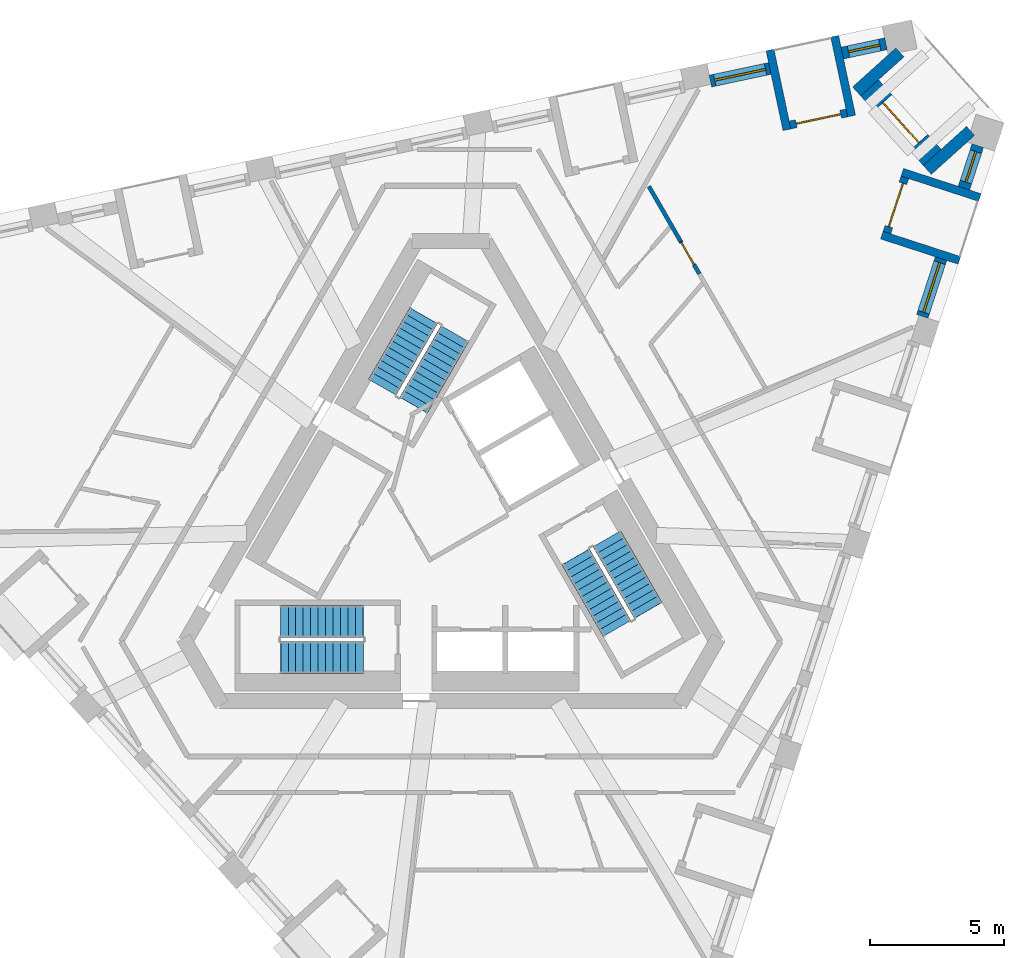
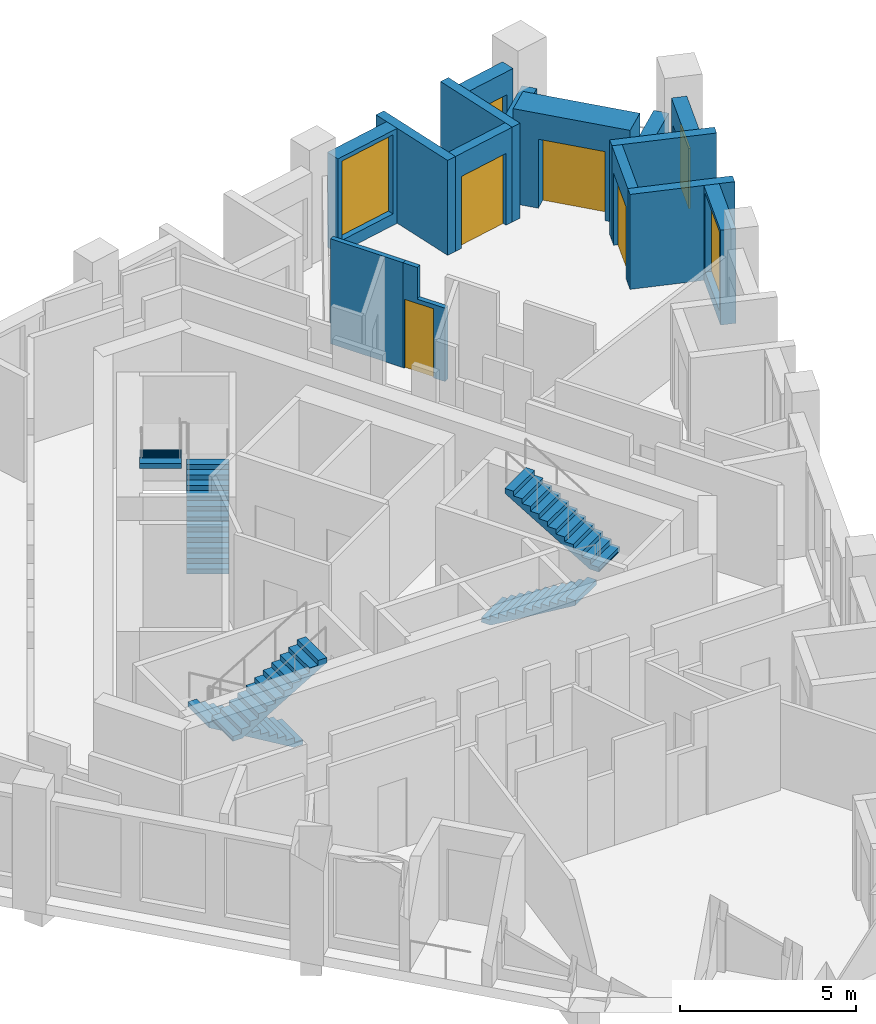
# One storey, part 8 of 12: 15 walls, 6 stair flights, 4 doors, 4 windows, 8 openings, 3 elements without a shape of their own.
"""IFC4 building model written with IfcOpenShell, lengths in metres."""

from ifc_helpers import new_model, si_unit, direction, frame, frame_2d, origin, place, context, subcontext, project, spatial, polyline, rectangle, outline, extrude, material, layer, layer_set, type_object, element, fill, aggregate, save


model = new_model("IFC4")

# Units and contexts
model_context = context("Model", 3, precision=1e-05, world=origin(), true_north=direction((0.0, 1.0)))
body_context = subcontext(model_context, "Body", "Model", "MODEL_VIEW")
ifc_project = project(units=[si_unit("LENGTHUNIT", "METRE"), si_unit("AREAUNIT", "SQUARE_METRE"), si_unit("VOLUMEUNIT", "CUBIC_METRE"), si_unit("PLANEANGLEUNIT", "RADIAN"), si_unit("MASSUNIT", "GRAM", prefix="KILO")], contexts=[model_context])

# Site, building, storey
site_placement = place(None, origin())
site = spatial("IfcSite", under=ifc_project, at=site_placement, CompositionType="ELEMENT")
building_placement = place(site_placement, origin())
building = spatial("IfcBuilding", under=site, at=building_placement, Name="Tramontana Tower", CompositionType="ELEMENT")
storey_placement = place(building_placement, frame((0.0, 0.0, 320.39990234375)))
storey = spatial("IfcBuildingStorey", under=building, at=storey_placement, Name="L73", CompositionType="ELEMENT", Elevation=320.39990234375)

# Wall, opening, window
ifc_material_1 = material(Name="Precast concrete 60 MPa", Category="concrete")
ifc_layer_1 = layer(ifc_material_1, 0.449951171875)
ifc_layer_set_1 = layer_set([ifc_layer_1], Name="Precast concrete 60 MPa, 450 mm")
wall_type_1 = type_object("IfcWallType", Name="EW1 Stone-faced precast wall 450", PredefinedType="SOLIDWALL", material=ifc_layer_set_1)
wall_1_placement = place(storey_placement, frame((17.632080078125, 7.9091796875, 0.0), z_axis=(0.0, 0.0, 1.0), x_axis=(0.309027740273, 0.951053024674, 0.0)))
wall_1 = element("IfcWall", 1, at=wall_1_placement, inside=storey, type_object=wall_type_1, Name="External wall L73 face 1 bay 5", PredefinedType="SOLIDWALL", context=body_context, shape_type="SweptSolid", body=[
    extrude(rectangle(XDim=2.271240234375, YDim=0.449951171875, at=frame_2d((1.1357421875, 0.0))), origin(), (0.0, 0.0, 1.0), 3.300048828125),
])
opening_1_placement = place(wall_1_placement, frame((0.16064453125, 0.0, 0.39990234375)))
opening_1 = element("IfcOpeningElement", 2, at=opening_1_placement, cuts=wall_1, Name="Opening M3", PredefinedType="OPENING", context=body_context, shape_type="SweptSolid", body=[
    extrude(rectangle(XDim=1.949951171875, YDim=2.75, at=frame_2d((0.97509765625, 1.375))), frame((0.0, 0.23486328125, 0.0), z_axis=(0.0, -1.0, 0.0), x_axis=(1.0, 0.0, 0.0)), (0.0, 0.0, 1.0), 0.469970703125),
])
ifc_material_2 = material(Name="Aluminum frame, double glazing unit", Category="aluminium")
window_type_1 = type_object("IfcWindowType", Name="M3 Window 1.95 x 2.75", PartitioningType="SINGLE_PANEL", PredefinedType="WINDOW", material=ifc_material_2)
window_1_placement = place(opening_1_placement, origin())
window_1 = element("IfcWindow", 3, at=window_1_placement, inside=storey, type_object=window_type_1, Name="Window M3 L73 face 1 module 13", OverallHeight=2.75, OverallWidth=1.949951171875, PartitioningType="SINGLE_PANEL", PredefinedType="WINDOW", context=body_context, shape_type="SweptSolid", body=[
    extrude(rectangle(XDim=1.949951171875, YDim=2.75, at=frame_2d((0.97509765625, 1.375))), frame((0.0, 0.030029296875, 0.0), z_axis=(0.0, -1.0, 0.0), x_axis=(1.0, 0.0, 0.0)), (0.0, 0.0, 1.0), 0.06005859375),
])
fill(opening_1, window_1)

wall_2_placement = place(storey_placement, frame((19.1904296875, 12.705078125, 0.0), z_axis=(0.0, 0.0, 1.0), x_axis=(0.30898696848, 0.951066271776, 0.0)))
wall_2 = element("IfcWall", 4, at=wall_2_placement, inside=storey, type_object=wall_type_1, Name="External wall L73 face 1 bay 5", PredefinedType="SOLIDWALL", context=body_context, shape_type="SweptSolid", body=[
    extrude(rectangle(XDim=1.671142578125, YDim=0.449951171875, at=frame_2d((0.83544921875, 0.0))), origin(), (0.0, 0.0, 1.0), 3.300048828125),
])
opening_2_placement = place(wall_2_placement, frame((0.235595703125, 0.0, 0.39990234375)))
opening_2 = element("IfcOpeningElement", 5, at=opening_2_placement, cuts=wall_2, Name="Opening N3L", PredefinedType="OPENING", context=body_context, shape_type="SweptSolid", body=[
    extrude(rectangle(XDim=1.199951171875, YDim=2.10009765625, at=frame_2d((0.60009765625, 1.050048828125))), frame((0.0, 0.23486328125, 0.0), z_axis=(0.0, -1.0, 0.0), x_axis=(1.0, 0.0, 0.0)), (0.0, 0.0, 1.0), 0.469970703125),
])
ifc_material_3 = material(Name="Aluminum frame, double glazing unit", Category="aluminium")
window_type_2 = type_object("IfcWindowType", Name="N3L Window 1.2 x 2.1", PartitioningType="SINGLE_PANEL", PredefinedType="WINDOW", material=ifc_material_3)
window_2_placement = place(opening_2_placement, origin())
window_2 = element("IfcWindow", 6, at=window_2_placement, inside=storey, type_object=window_type_2, Name="Window N3L L73 face 1 module 15", OverallHeight=2.10009765625, OverallWidth=1.199951171875, PartitioningType="SINGLE_PANEL", PredefinedType="WINDOW", context=body_context, shape_type="SweptSolid", body=[
    extrude(rectangle(XDim=1.199951171875, YDim=2.10009765625, at=frame_2d((0.60009765625, 1.050048828125))), frame((0.0, 0.030029296875, 0.0), z_axis=(0.0, -1.0, 0.0), x_axis=(1.0, 0.0, 0.0)), (0.0, 0.0, 1.0), 0.06005859375),
])
fill(opening_2, window_2)

wall_3_placement = place(storey_placement, frame((16.276123046875, 18.104736328125, 0.0), z_axis=(0.0, 0.0, 1.0), x_axis=(-0.978126168783, -0.208012494676, 0.0)))
wall_3 = element("IfcWall", 7, at=wall_3_placement, inside=storey, type_object=wall_type_1, Name="External wall L73 face 2 bay 1", PredefinedType="SOLIDWALL", context=body_context, shape_type="SweptSolid", body=[
    extrude(rectangle(XDim=1.67138671875, YDim=0.449951171875, at=frame_2d((0.835693359375, 0.0))), origin(), (0.0, 0.0, 1.0), 3.300048828125),
])
opening_3_placement = place(wall_3_placement, frame((0.235595703125, 0.0, 0.39990234375)))
opening_3 = element("IfcOpeningElement", 8, at=opening_3_placement, cuts=wall_3, Name="Opening N3L", PredefinedType="OPENING", context=body_context, shape_type="SweptSolid", body=[
    extrude(rectangle(XDim=1.199951171875, YDim=2.10009765625, at=frame_2d((0.60009765625, 1.050048828125))), frame((0.0, 0.23486328125, 0.0), z_axis=(0.0, -1.0, 0.0), x_axis=(1.0, 0.0, 0.0)), (0.0, 0.0, 1.0), 0.469970703125),
])
window_3_placement = place(opening_3_placement, origin())
window_3 = element("IfcWindow", 9, at=window_3_placement, inside=storey, type_object=window_type_2, Name="Window N3L L73 face 2 module 1", OverallHeight=2.10009765625, OverallWidth=1.199951171875, PartitioningType="SINGLE_PANEL", PredefinedType="WINDOW", context=body_context, shape_type="SweptSolid", body=[
    extrude(rectangle(XDim=1.199951171875, YDim=2.10009765625, at=frame_2d((0.60009765625, 1.050048828125))), frame((0.0, 0.030029296875, 0.0), z_axis=(0.0, -1.0, 0.0), x_axis=(1.0, 0.0, 0.0)), (0.0, 0.0, 1.0), 0.06005859375),
])
fill(opening_3, window_3)

wall_4_placement = place(storey_placement, frame((11.9306640625, 17.180908203125, 0.0), z_axis=(0.0, 0.0, 1.0), x_axis=(-0.978153386925, -0.207884467067, 0.0)))
wall_4 = element("IfcWall", 10, at=wall_4_placement, inside=storey, type_object=wall_type_1, Name="External wall L73 face 2 bay 1", PredefinedType="SOLIDWALL", context=body_context, shape_type="SweptSolid", body=[
    extrude(rectangle(XDim=2.271240234375, YDim=0.449951171875, at=frame_2d((1.1357421875, 0.0))), origin(), (0.0, 0.0, 1.0), 3.300048828125),
])
opening_4_placement = place(wall_4_placement, frame((0.16064453125, 0.0, 0.39990234375)))
opening_4 = element("IfcOpeningElement", 11, at=opening_4_placement, cuts=wall_4, Name="Opening M3", PredefinedType="OPENING", context=body_context, shape_type="SweptSolid", body=[
    extrude(rectangle(XDim=1.949951171875, YDim=2.75, at=frame_2d((0.97509765625, 1.375))), frame((0.0, 0.23486328125, 0.0), z_axis=(0.0, -1.0, 0.0), x_axis=(1.0, 0.0, 0.0)), (0.0, 0.0, 1.0), 0.469970703125),
])
window_4_placement = place(opening_4_placement, origin())
window_4 = element("IfcWindow", 12, at=window_4_placement, inside=storey, type_object=window_type_1, Name="Window M3 L73 face 2 module 3", OverallHeight=2.75, OverallWidth=1.949951171875, PartitioningType="SINGLE_PANEL", PredefinedType="WINDOW", context=body_context, shape_type="SweptSolid", body=[
    extrude(rectangle(XDim=1.949951171875, YDim=2.75, at=frame_2d((0.97509765625, 1.375))), frame((0.0, 0.030029296875, 0.0), z_axis=(0.0, -1.0, 0.0), x_axis=(1.0, 0.0, 0.0)), (0.0, 0.0, 1.0), 0.06005859375),
])
fill(opening_4, window_4)

# Walls
wall_5_placement = place(storey_placement, frame((16.795654296875, 17.780517578125, 0.0), z_axis=(0.0, 0.0, 1.0), x_axis=(-0.743165997662, -0.669107091518, 0.0)))
element("IfcWall", 13, at=wall_5_placement, inside=storey, type_object=wall_type_1, Name="Corner loggia side wall L73 K82l", PredefinedType="SOLIDWALL", context=body_context, shape_type="SweptSolid", body=[
    extrude(rectangle(XDim=2.178955078125, YDim=0.449951171875, at=frame_2d((1.08935546875, 0.0))), origin(), (0.0, 0.0, 1.0), 2.550048828125),
])
wall_6_placement = place(storey_placement, frame((19.438720703125, 14.84521484375, 0.0), z_axis=(0.0, 0.0, 1.0), x_axis=(-0.743110286166, -0.669168964159, 0.0)))
element("IfcWall", 14, at=wall_6_placement, inside=storey, type_object=wall_type_1, Name="Corner loggia side wall L73 K82r", PredefinedType="SOLIDWALL", context=body_context, shape_type="SweptSolid", body=[
    extrude(rectangle(XDim=2.17919921875, YDim=0.449951171875, at=frame_2d((1.089599609375, 0.0))), origin(), (0.0, 0.0, 1.0), 2.550048828125),
])

# Wall, opening, door
ifc_material_4 = material(Name="Precast concrete 60 MPa", Category="concrete")
ifc_layer_2 = layer(ifc_material_4, 0.89990234375)
ifc_layer_set_2 = layer_set([ifc_layer_2], Name="EW2 Stone-faced corner loggia wall 900")
wall_type_2 = type_object("IfcWallType", Name="EW2 Stone-faced corner loggia wall 900", PredefinedType="SOLIDWALL", material=ifc_layer_set_2)
wall_7_placement = place(storey_placement, frame((15.6611328125, 16.456298828125, 0.0), z_axis=(0.0, 0.0, 1.0), x_axis=(0.669134277936, -0.743141519559, 0.0)))
wall_7 = element("IfcWall", 15, at=wall_7_placement, inside=storey, type_object=wall_type_2, Name="Corner loggia wall L73 K82", PredefinedType="SOLIDWALL", context=body_context, shape_type="SweptSolid", body=[
    extrude(rectangle(XDim=3.5, YDim=0.89990234375, at=frame_2d((1.75, 0.0))), origin(), (0.0, 0.0, 1.0), 3.300048828125),
])
opening_5_placement = place(wall_7_placement, frame((0.75, 0.0, 0.0)))
opening_5 = element("IfcOpeningElement", 16, at=opening_5_placement, cuts=wall_7, Name="Opening BD-82C", PredefinedType="OPENING", context=body_context, shape_type="SweptSolid", body=[
    extrude(rectangle(XDim=2.0, YDim=2.39990234375, at=frame_2d((1.0, 1.199951171875))), frame((0.0, 0.4599609375, 0.0), z_axis=(0.0, -1.0, 0.0), x_axis=(1.0, 0.0, 0.0)), (0.0, 0.0, 1.0), 0.919921875),
])
ifc_material_5 = material(Name="Aluminum frame, double glazing unit", Category="aluminium")
door_type_1 = type_object("IfcDoorType", Name="BC1 Sliding door 2 x 2.4", OperationType="SLIDING_TO_LEFT", PredefinedType="DOOR", material=ifc_material_5)
door_1_placement = place(opening_5_placement, origin())
door_1 = element("IfcDoor", 17, at=door_1_placement, inside=storey, type_object=door_type_1, Name="Corner loggia door L73 K82", OperationType="SLIDING_TO_LEFT", OverallHeight=2.39990234375, OverallWidth=2.0, PredefinedType="DOOR", context=body_context, shape_type="SweptSolid", body=[
    extrude(rectangle(XDim=2.0, YDim=2.39990234375, at=frame_2d((1.0, 1.199951171875))), frame((0.0, 0.02490234375, 0.0), z_axis=(0.0, -1.0, 0.0), x_axis=(1.0, 0.0, 0.0)), (0.0, 0.0, 1.0), 0.050048828125),
])
fill(opening_5, door_1)

ifc_material_6 = material(Name="Precast concrete 60 MPa", Category="concrete")
ifc_layer_3 = layer(ifc_material_6, 0.300048828125)
ifc_layer_set_3 = layer_set([ifc_layer_3], Name="LW1 Stone-faced loggia wall 300")
wall_type_3 = type_object("IfcWallType", Name="LW1 Stone-faced loggia wall 300", PredefinedType="SOLIDWALL", material=ifc_layer_set_3)
wall_8_placement = place(storey_placement, frame((16.310546875, 11.042236328125, 0.0), z_axis=(0.0, 0.0, 1.0), x_axis=(0.308999623589, 0.95106216023, 0.0)))
wall_8 = element("IfcWall", 18, at=wall_8_placement, inside=storey, type_object=wall_type_3, Name="Loggia wall L73 G8S1.13", PredefinedType="SOLIDWALL", context=body_context, shape_type="SweptSolid", body=[
    extrude(rectangle(XDim=2.171142578125, YDim=0.300048828125, at=frame_2d((1.08544921875, 0.0))), origin(), (0.0, 0.0, 1.0), 3.300048828125),
])
opening_6_placement = place(wall_8_placement, frame((0.235595703125, 0.0, 0.0)))
opening_6 = element("IfcOpeningElement", 19, at=opening_6_placement, cuts=wall_8, Name="Opening BD-8S1-13", PredefinedType="OPENING", context=body_context, shape_type="SweptSolid", body=[
    extrude(rectangle(XDim=1.699951171875, YDim=2.5, at=frame_2d((0.85009765625, 1.25))), frame((0.0, 0.159912109375, 0.0), z_axis=(0.0, -1.0, 0.0), x_axis=(1.0, 0.0, 0.0)), (0.0, 0.0, 1.0), 0.320068359375),
])
ifc_material_7 = material(Name="Aluminum frame, double glazing unit", Category="aluminium")
door_type_2 = type_object("IfcDoorType", Name="BD3 Sliding door 1.7 x 2.5", OperationType="SLIDING_TO_LEFT", PredefinedType="DOOR", material=ifc_material_7)
door_2_placement = place(opening_6_placement, origin())
door_2 = element("IfcDoor", 20, at=door_2_placement, inside=storey, type_object=door_type_2, Name="Loggia door L73 G8S1.13", OperationType="SLIDING_TO_LEFT", OverallHeight=2.5, OverallWidth=1.699951171875, PredefinedType="DOOR", context=body_context, shape_type="SweptSolid", body=[
    extrude(rectangle(XDim=1.699951171875, YDim=2.5, at=frame_2d((0.85009765625, 1.25))), frame((0.0, 0.02490234375, 0.0), z_axis=(0.0, -1.0, 0.0), x_axis=(1.0, 0.0, 0.0)), (0.0, 0.0, 1.0), 0.050048828125),
])
fill(opening_6, door_2)

# Walls
for number, where, z_axis, x_axis, name in (
    (21, (19.022216796875, 10.00341796875, 0.0), (0.0, 0.0, 1.0), (-0.951041715693, 0.309062542235, 0.0), "Loggia return L73 G8S1.13a"),
    (22, (19.785888671875, 12.353759765625, 0.0), (0.0, 0.0, 1.0), (-0.951041715693, 0.309062542235, 0.0), "Loggia return L73 G8S1.13b"),
):
    element("IfcWall", number, at=place(storey_placement, frame(where, z_axis=z_axis, x_axis=x_axis)), inside=storey, type_object=wall_type_3, Name=name, PredefinedType="SOLIDWALL", context=body_context, shape_type="SweptSolid", body=[
        extrude(rectangle(XDim=3.050048828125, YDim=0.300048828125, at=frame_2d((1.52490234375, 0.0))), origin(), (0.0, 0.0, 1.0), 3.300048828125),
    ])

# Wall, opening, door
wall_9_placement = place(storey_placement, frame((14.810546875, 15.518310546875, 0.0), z_axis=(0.0, 0.0, 1.0), x_axis=(-0.978148276005, -0.207908513891, 0.0)))
wall_9 = element("IfcWall", 23, at=wall_9_placement, inside=storey, type_object=wall_type_3, Name="Loggia wall L73 G8S2.1", PredefinedType="SOLIDWALL", context=body_context, shape_type="SweptSolid", body=[
    extrude(rectangle(XDim=2.171142578125, YDim=0.300048828125, at=frame_2d((1.08544921875, 0.0))), origin(), (0.0, 0.0, 1.0), 3.300048828125),
])
opening_7_placement = place(wall_9_placement, frame((0.235595703125, 0.0, 0.0)))
opening_7 = element("IfcOpeningElement", 24, at=opening_7_placement, cuts=wall_9, Name="Opening BD-8S2-01", PredefinedType="OPENING", context=body_context, shape_type="SweptSolid", body=[
    extrude(rectangle(XDim=1.699951171875, YDim=2.5, at=frame_2d((0.85009765625, 1.25))), frame((0.0, 0.159912109375, 0.0), z_axis=(0.0, -1.0, 0.0), x_axis=(1.0, 0.0, 0.0)), (0.0, 0.0, 1.0), 0.320068359375),
])
door_3_placement = place(opening_7_placement, origin())
door_3 = element("IfcDoor", 25, at=door_3_placement, inside=storey, type_object=door_type_2, Name="Loggia door L73 G8S2.1", OperationType="SLIDING_TO_LEFT", OverallHeight=2.5, OverallWidth=1.699951171875, PredefinedType="DOOR", context=body_context, shape_type="SweptSolid", body=[
    extrude(rectangle(XDim=1.699951171875, YDim=2.5, at=frame_2d((0.85009765625, 1.25))), frame((0.0, 0.02490234375, 0.0), z_axis=(0.0, -1.0, 0.0), x_axis=(1.0, 0.0, 0.0)), (0.0, 0.0, 1.0), 0.050048828125),
])
fill(opening_7, door_3)

# Walls
wall_10_placement = place(storey_placement, frame((14.354248046875, 18.38623046875, 0.0), z_axis=(0.0, 0.0, 1.0), x_axis=(0.207954487003, -0.978138503145, 0.0)))
element("IfcWall", 26, at=wall_10_placement, inside=storey, type_object=wall_type_3, Name="Loggia return L73 G8S2.1a", PredefinedType="SOLIDWALL", context=body_context, shape_type="SweptSolid", body=[
    extrude(rectangle(XDim=3.050048828125, YDim=0.300048828125, at=frame_2d((1.52490234375, 0.0))), origin(), (0.0, 0.0, 1.0), 3.300048828125),
])
wall_11_placement = place(storey_placement, frame((11.93701171875, 17.872314453125, 0.0), z_axis=(0.0, 0.0, 1.0), x_axis=(0.207894179953, -0.978151322619, 0.0)))
element("IfcWall", 27, at=wall_11_placement, inside=storey, type_object=wall_type_3, Name="Loggia return L73 G8S2.1b", PredefinedType="SOLIDWALL", context=body_context, shape_type="SweptSolid", body=[
    extrude(rectangle(XDim=3.0498046875, YDim=0.300048828125, at=frame_2d((1.52490234375, 0.0))), origin(), (0.0, 0.0, 1.0), 3.300048828125),
])
ifc_material_8 = material(Name="Gypsum board partition")
ifc_layer_4 = layer(ifc_material_8, 0.14990234375)
ifc_layer_set_4 = layer_set([ifc_layer_4], Name="PARTITION 150")
wall_type_4 = type_object("IfcWallType", Name="PARTITION 150", PredefinedType="PARTITIONING", material=ifc_layer_set_4)
wall_12_placement = place(storey_placement, frame((7.4072265625, 12.7705078125, 0.0), z_axis=(0.0, 0.0, 1.0), x_axis=(0.499968171535, -0.866043779177, 0.0)))
element("IfcWall", 28, at=wall_12_placement, inside=storey, type_object=wall_type_4, Name="Wall v80-pw24-0", PredefinedType="PARTITIONING", context=body_context, shape_type="SweptSolid", body=[
    extrude(rectangle(XDim=2.379638671875, YDim=0.14990234375, at=frame_2d((1.18994140625, 0.0))), origin(), (0.0, 0.0, 1.0), 3.650146484375),
])

# Wall, opening, door
wall_13_placement = place(storey_placement, frame((8.596923828125, 10.709716796875, 0.0), z_axis=(0.0, 0.0, 1.0), x_axis=(0.499950230578, -0.866054136267, 0.0)))
wall_13 = element("IfcWall", 29, at=wall_13_placement, inside=storey, type_object=wall_type_4, Name="Wall v80-pw24-1", PredefinedType="PARTITIONING", context=body_context, shape_type="SweptSolid", body=[
    extrude(outline(polyline([(0.0, 0.0), (1.391845703125, 0.0), (1.3916015625, 2.550048828125), (0.47412109375, 2.550048828125), (0.47412109375, 3.650146484375), (0.0, 3.650146484375), (0.0, 0.0)])), frame((0.0, 0.074951171875, 0.0), z_axis=(0.0, -1.0, 0.0), x_axis=(1.0, 0.0, 0.0)), (0.0, 0.0, 1.0), 0.14990234375),
])
opening_8_placement = place(wall_13_placement, frame((0.050048828125, 0.0, 0.0)))
opening_8 = element("IfcOpeningElement", 30, at=opening_8_placement, cuts=wall_13, Name="Opening B8A-15", PredefinedType="OPENING", context=body_context, shape_type="SweptSolid", body=[
    extrude(rectangle(XDim=0.949951171875, YDim=2.39990234375, at=frame_2d((0.47509765625, 1.199951171875))), frame((0.0, 0.0849609375, 0.0), z_axis=(0.0, -1.0, 0.0), x_axis=(1.0, 0.0, 0.0)), (0.0, 0.0, 1.0), 0.169921875),
])
ifc_material_9 = material(Name="Painted timber", Category="wood")
door_type_3 = type_object("IfcDoorType", Name="DOOR ROOM 950", OperationType="SINGLE_SWING_LEFT", PredefinedType="DOOR", material=ifc_material_9)
door_4_placement = place(opening_8_placement, origin())
door_4 = element("IfcDoor", 31, at=door_4_placement, inside=storey, type_object=door_type_3, Name="Door B8A-15", OperationType="SINGLE_SWING_LEFT", OverallHeight=2.39990234375, OverallWidth=0.949951171875, PredefinedType="DOOR", context=body_context, shape_type="SweptSolid", body=[
    extrude(rectangle(XDim=0.949951171875, YDim=2.39990234375, at=frame_2d((0.47509765625, 1.199951171875))), frame((0.0, 0.02490234375, 0.0), z_axis=(0.0, -1.0, 0.0), x_axis=(1.0, 0.0, 0.0)), (0.0, 0.0, 1.0), 0.050048828125),
])
fill(opening_8, door_4)

# Stair, stair flights
ifc_material_10 = material(Name="Concrete 40 MPa", Category="concrete")
stair_type = type_object("IfcStairType", Name="EXIT STAIR 24 RISERS", PredefinedType="HALF_TURN_STAIR", material=ifc_material_10)
stair_1_placement = place(storey_placement, origin())
stair_1 = element("IfcStair", 32, at=stair_1_placement, inside=storey, type_object=stair_type, Name="L73 Exit stair ST1", PredefinedType="HALF_TURN_STAIR")
ifc_material_11 = material(Name="Concrete 40 MPa", Category="concrete")
ifc_layer_5 = layer(ifc_material_11, 0.14990234375)
ifc_layer_set_5 = layer_set([ifc_layer_5], Name="EXIT STAIR FLIGHT")
stair_flight_type = type_object("IfcStairFlightType", Name="EXIT STAIR FLIGHT", PredefinedType="STRAIGHT", material=ifc_layer_set_5)
stair_flight_1_placement = place(storey_placement, frame((-1.39111328125, 4.590576171875, 0.0), z_axis=(0.0, 0.0, 1.0), x_axis=(0.5, 0.866025403784, 0.0)))
stair_flight_1 = element("IfcStairFlight", 33, at=stair_flight_1_placement, type_object=stair_flight_type, Name="ST1 flight 1", NumberOfRisers=12, NumberOfTreads=11, PredefinedType="STRAIGHT", RiserHeight=0.166666667, TreadLength=0.28, context=body_context, shape_type="SweptSolid", body=[
    extrude(outline(polyline([(-0.006103515625, 0.0), (-0.006103515625, 0.0400390625), (0.0, 0.0400390625), (0.0, 0.166748046875), (0.280029296875, 0.166748046875), (0.280029296875, 0.333251953125), (0.56005859375, 0.333251953125), (0.56005859375, 0.5), (0.840087890625, 0.5), (0.840087890625, 0.666748046875), (1.1201171875, 0.666748046875), (1.1201171875, 0.833251953125), (1.39990234375, 0.833251953125), (1.39990234375, 1.0), (1.679931640625, 1.0), (1.679931640625, 1.166748046875), (1.9599609375, 1.166748046875), (1.9599609375, 1.333251953125), (2.239990234375, 1.333251953125), (2.239990234375, 1.5), (2.52001953125, 1.5), (2.52001953125, 1.666748046875), (2.800048828125, 1.666748046875), (2.800048828125, 1.833251953125), (3.080078125, 1.833251953125), (3.0859375, 1.833251953125), (3.0859375, 1.658935546875), (0.299072265625, 0.0), (-0.006103515625, 0.0)])), frame((0.0, 0.60009765625, 0.0), z_axis=(0.0, -1.0, 0.0), x_axis=(1.0, 0.0, 0.0)), (0.0, 0.0, 1.0), 1.199951171875),
])
stair_flight_2_placement = place(storey_placement, frame((-1.020263671875, 7.932861328125, 2.0), z_axis=(0.0, 0.0, 1.0), x_axis=(-0.5, -0.866025403784, 0.0)))
stair_flight_2 = element("IfcStairFlight", 34, at=stair_flight_2_placement, type_object=stair_flight_type, Name="ST1 flight 2", NumberOfRisers=12, NumberOfTreads=11, PredefinedType="STRAIGHT", RiserHeight=0.166666667, TreadLength=0.28, context=body_context, shape_type="SweptSolid", body=[
    extrude(outline(polyline([(-0.006103515625, 0.0), (-0.006103515625, 0.0400390625), (0.0, 0.0400390625), (0.0, 0.166748046875), (0.280029296875, 0.166748046875), (0.280029296875, 0.333251953125), (0.56005859375, 0.333251953125), (0.56005859375, 0.5), (0.840087890625, 0.5), (0.840087890625, 0.666748046875), (1.1201171875, 0.666748046875), (1.1201171875, 0.833251953125), (1.39990234375, 0.833251953125), (1.39990234375, 1.0), (1.679931640625, 1.0), (1.679931640625, 1.166748046875), (1.9599609375, 1.166748046875), (1.9599609375, 1.333251953125), (2.239990234375, 1.333251953125), (2.239990234375, 1.5), (2.52001953125, 1.5), (2.52001953125, 1.666748046875), (2.800048828125, 1.666748046875), (2.800048828125, 1.833251953125), (3.080078125, 1.833251953125), (3.0859375, 1.833251953125), (3.0859375, 1.658935546875), (0.299072265625, 0.0), (-0.006103515625, 0.0)])), frame((0.0, 0.60009765625, 0.0), z_axis=(0.0, -1.0, 0.0), x_axis=(1.0, 0.0, 0.0)), (0.0, 0.0, 1.0), 1.199951171875),
])
aggregate(stair_1, [stair_flight_1, stair_flight_2])

stair_2_placement = place(storey_placement, origin())
stair_2 = element("IfcStair", 35, at=stair_2_placement, inside=storey, type_object=stair_type, Name="L73 Exit stair ST2", PredefinedType="HALF_TURN_STAIR")
stair_flight_3_placement = place(storey_placement, frame((-3.280029296875, -3.5, 0.0), z_axis=(0.0, 0.0, 1.0), x_axis=(-1.0, 0.0, 0.0)))
stair_flight_3 = element("IfcStairFlight", 36, at=stair_flight_3_placement, type_object=stair_flight_type, Name="ST2 flight 1", NumberOfRisers=12, NumberOfTreads=11, PredefinedType="STRAIGHT", RiserHeight=0.166666667, TreadLength=0.28, context=body_context, shape_type="SweptSolid", body=[
    extrude(outline(polyline([(-0.006103515625, 0.0), (-0.006103515625, 0.0400390625), (0.0, 0.0400390625), (0.0, 0.166748046875), (0.280029296875, 0.166748046875), (0.280029296875, 0.333251953125), (0.56005859375, 0.333251953125), (0.56005859375, 0.5), (0.840087890625, 0.5), (0.840087890625, 0.666748046875), (1.1201171875, 0.666748046875), (1.1201171875, 0.833251953125), (1.39990234375, 0.833251953125), (1.39990234375, 1.0), (1.679931640625, 1.0), (1.679931640625, 1.166748046875), (1.9599609375, 1.166748046875), (1.9599609375, 1.333251953125), (2.239990234375, 1.333251953125), (2.239990234375, 1.5), (2.52001953125, 1.5), (2.52001953125, 1.666748046875), (2.800048828125, 1.666748046875), (2.800048828125, 1.833251953125), (3.080078125, 1.833251953125), (3.0859375, 1.833251953125), (3.0859375, 1.658935546875), (0.299072265625, 0.0), (-0.006103515625, 0.0)])), frame((0.0, 0.60009765625, 0.0), z_axis=(0.0, -1.0, 0.0), x_axis=(1.0, 0.0, 0.0)), (0.0, 0.0, 1.0), 1.199951171875),
])
stair_flight_4_placement = place(storey_placement, frame((-6.360107421875, -4.85009765625, 2.0), z_axis=(0.0, 0.0, 1.0), x_axis=(1.0, 0.0, 0.0)))
stair_flight_4 = element("IfcStairFlight", 37, at=stair_flight_4_placement, type_object=stair_flight_type, Name="ST2 flight 2", NumberOfRisers=12, NumberOfTreads=11, PredefinedType="STRAIGHT", RiserHeight=0.166666667, TreadLength=0.28, context=body_context, shape_type="SweptSolid", body=[
    extrude(outline(polyline([(-0.006103515625, 0.0), (-0.006103515625, 0.0400390625), (0.0, 0.0400390625), (0.0, 0.166748046875), (0.280029296875, 0.166748046875), (0.280029296875, 0.333251953125), (0.56005859375, 0.333251953125), (0.56005859375, 0.5), (0.840087890625, 0.5), (0.840087890625, 0.666748046875), (1.1201171875, 0.666748046875), (1.1201171875, 0.833251953125), (1.39990234375, 0.833251953125), (1.39990234375, 1.0), (1.679931640625, 1.0), (1.679931640625, 1.166748046875), (1.9599609375, 1.166748046875), (1.9599609375, 1.333251953125), (2.239990234375, 1.333251953125), (2.239990234375, 1.5), (2.52001953125, 1.5), (2.52001953125, 1.666748046875), (2.800048828125, 1.666748046875), (2.800048828125, 1.833251953125), (3.080078125, 1.833251953125), (3.0859375, 1.833251953125), (3.0859375, 1.658935546875), (0.299072265625, 0.0), (-0.006103515625, 0.0)])), frame((0.0, 0.60009765625, 0.0), z_axis=(0.0, -1.0, 0.0), x_axis=(1.0, 0.0, 0.0)), (0.0, 0.0, 1.0), 1.199951171875),
])
aggregate(stair_2, [stair_flight_3, stair_flight_4])

stair_3_placement = place(storey_placement, origin())
stair_3 = element("IfcStair", 38, at=stair_3_placement, inside=storey, type_object=stair_type, Name="L73 Exit stair ST3", PredefinedType="HALF_TURN_STAIR")
stair_flight_5_placement = place(storey_placement, frame((4.671142578125, -1.090576171875, 0.0), z_axis=(0.0, 0.0, 1.0), x_axis=(0.5, -0.866025403784, 0.0)))
stair_flight_5 = element("IfcStairFlight", 39, at=stair_flight_5_placement, type_object=stair_flight_type, Name="ST3 flight 1", NumberOfRisers=12, NumberOfTreads=11, PredefinedType="STRAIGHT", RiserHeight=0.166666667, TreadLength=0.28, context=body_context, shape_type="SweptSolid", body=[
    extrude(outline(polyline([(-0.006103515625, 0.0), (-0.006103515625, 0.0400390625), (0.0, 0.0400390625), (0.0, 0.166748046875), (0.280029296875, 0.166748046875), (0.280029296875, 0.333251953125), (0.56005859375, 0.333251953125), (0.56005859375, 0.5), (0.840087890625, 0.5), (0.840087890625, 0.666748046875), (1.1201171875, 0.666748046875), (1.1201171875, 0.833251953125), (1.39990234375, 0.833251953125), (1.39990234375, 1.0), (1.679931640625, 1.0), (1.679931640625, 1.166748046875), (1.9599609375, 1.166748046875), (1.9599609375, 1.333251953125), (2.239990234375, 1.333251953125), (2.239990234375, 1.5), (2.52001953125, 1.5), (2.52001953125, 1.666748046875), (2.800048828125, 1.666748046875), (2.800048828125, 1.833251953125), (3.080078125, 1.833251953125), (3.0859375, 1.833251953125), (3.0859375, 1.658935546875), (0.299072265625, 0.0), (-0.006103515625, 0.0)])), frame((0.0, 0.60009765625, 0.0), z_axis=(0.0, -1.0, 0.0), x_axis=(1.0, 0.0, 0.0)), (0.0, 0.0, 1.0), 1.199951171875),
])
stair_flight_6_placement = place(storey_placement, frame((7.380126953125, -3.0830078125, 2.0), z_axis=(0.0, 0.0, 1.0), x_axis=(-0.5, 0.866025403784, 0.0)))
stair_flight_6 = element("IfcStairFlight", 40, at=stair_flight_6_placement, type_object=stair_flight_type, Name="ST3 flight 2", NumberOfRisers=12, NumberOfTreads=11, PredefinedType="STRAIGHT", RiserHeight=0.166666667, TreadLength=0.28, context=body_context, shape_type="SweptSolid", body=[
    extrude(outline(polyline([(-0.006103515625, 0.0), (-0.006103515625, 0.0400390625), (0.0, 0.0400390625), (0.0, 0.166748046875), (0.280029296875, 0.166748046875), (0.280029296875, 0.333251953125), (0.56005859375, 0.333251953125), (0.56005859375, 0.5), (0.840087890625, 0.5), (0.840087890625, 0.666748046875), (1.1201171875, 0.666748046875), (1.1201171875, 0.833251953125), (1.39990234375, 0.833251953125), (1.39990234375, 1.0), (1.679931640625, 1.0), (1.679931640625, 1.166748046875), (1.9599609375, 1.166748046875), (1.9599609375, 1.333251953125), (2.239990234375, 1.333251953125), (2.239990234375, 1.5), (2.52001953125, 1.5), (2.52001953125, 1.666748046875), (2.800048828125, 1.666748046875), (2.800048828125, 1.833251953125), (3.080078125, 1.833251953125), (3.0859375, 1.833251953125), (3.0859375, 1.658935546875), (0.299072265625, 0.0), (-0.006103515625, 0.0)])), frame((0.0, 0.60009765625, 0.0), z_axis=(0.0, -1.0, 0.0), x_axis=(1.0, 0.0, 0.0)), (0.0, 0.0, 1.0), 1.199951171875),
])
aggregate(stair_3, [stair_flight_5, stair_flight_6])

save(model, "model.ifc")
